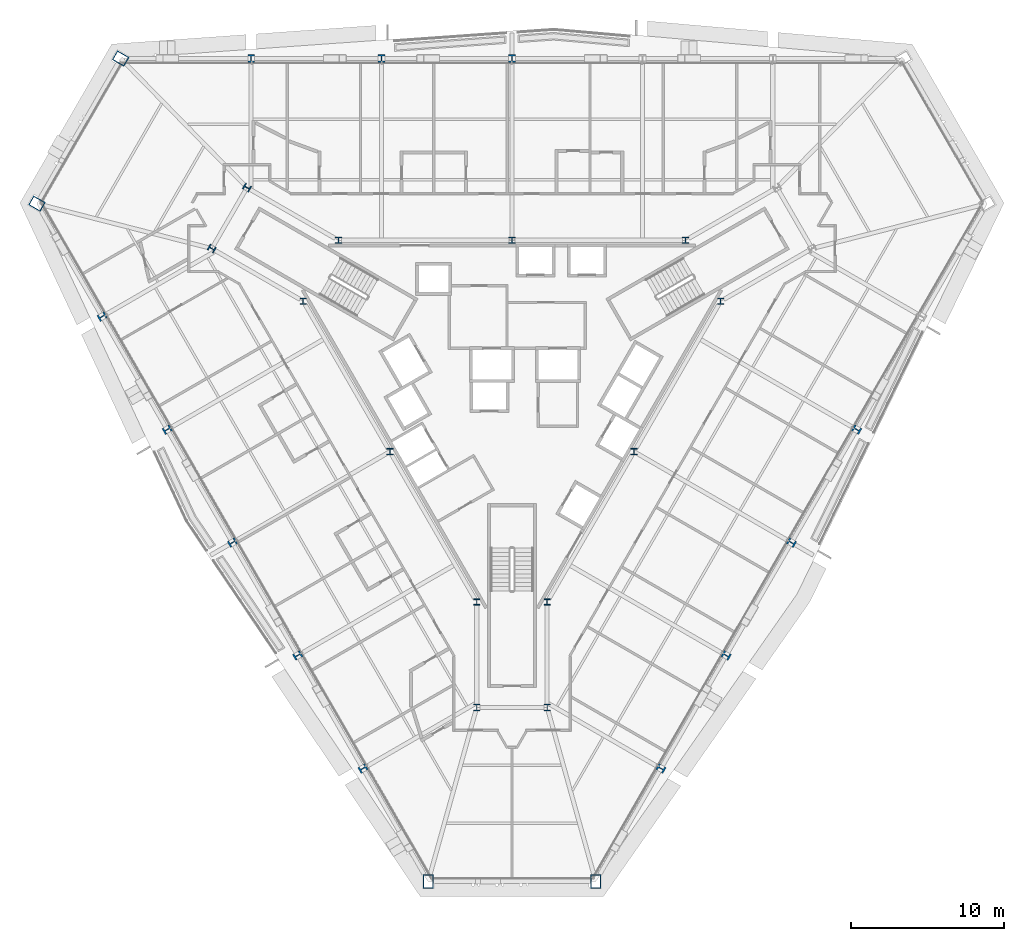
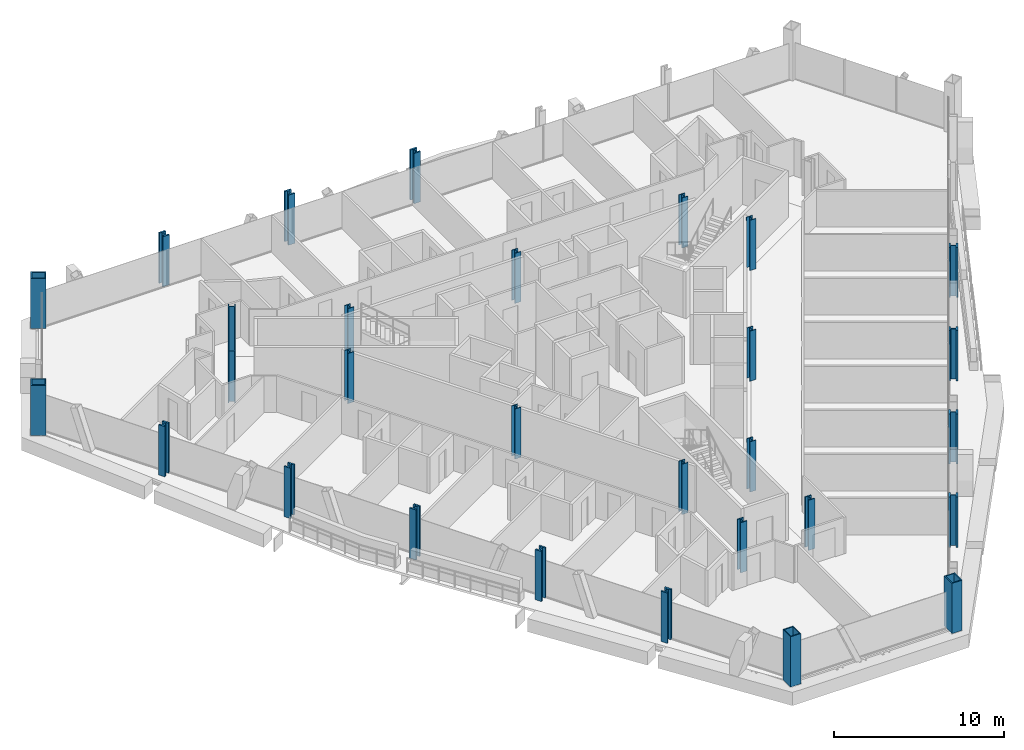
# One storey, part 1 of 17: 29 columns.
"""IFC4 building model written with IfcOpenShell, lengths in metres."""

from ifc_helpers import new_model, si_unit, direction, frame, origin, origin_2d, place, context, subcontext, project, spatial, hollow_rectangle, i_section, extrude, material, material_profile, profile_set, type_object, element, save


model = new_model("IFC4")

# Units and contexts
model_context = context("Model", 3, precision=1e-05, world=origin(), true_north=direction((0.0, 1.0)))
body_context = subcontext(model_context, "Body", "Model", "MODEL_VIEW")
ifc_project = project(units=[si_unit("LENGTHUNIT", "METRE"), si_unit("AREAUNIT", "SQUARE_METRE"), si_unit("VOLUMEUNIT", "CUBIC_METRE"), si_unit("PLANEANGLEUNIT", "RADIAN"), si_unit("MASSUNIT", "GRAM", prefix="KILO")], contexts=[model_context])

# Site, building, storey
site_placement = place(None, origin())
site = spatial("IfcSite", under=ifc_project, at=site_placement, CompositionType="ELEMENT")
building_placement = place(site_placement, origin())
building = spatial("IfcBuilding", under=site, at=building_placement, Name="Verrane Prism Tower", CompositionType="ELEMENT")
storey_placement = place(building_placement, frame((0.0, 0.0, 51.199951171875)))
storey = spatial("IfcBuildingStorey", under=building, at=storey_placement, Name="L10", CompositionType="ELEMENT", Elevation=51.199951171875)

# Columns
ifc_material_1 = material(Name="Steel A992", Category="steel")
ifc_material_profile_1 = material_profile(ifc_material_1, i_section(OverallWidth=0.419189453125, OverallDepth=0.45458984375, WebThickness=0.042236328125, FlangeThickness=0.067626953125, FilletRadius=0.01513671875, at=origin_2d()), Name="W14x370")
ifc_profile_set_1 = profile_set([ifc_material_profile_1], Name="Steel A992")
column_type_1 = type_object("IfcColumnType", Name="Core corner column W14x370", PredefinedType="COLUMN", material=ifc_profile_set_1)
for number, where, z_axis, x_axis, name in (
    (1, (-17.300048828125, 12.639892578125, 0.0), (0.0, 0.0, 1.0), (0.5, 0.866025403784, 0.0), "Core corner column CK-NWm L10"),
    (2, (-19.60009765625, 8.659912109375, 0.0), (0.0, 0.0, 1.0), (0.5, 0.866025403784, 0.0), "Core corner column CK-NWp L10"),
    (3, (-2.300048828125, -21.300048828125, 0.0), (0.0, 0.0, 1.0), (-1.0, 0.0, 0.0), "Core corner column CK-Sm L10"),
    (4, (2.300048828125, -21.300048828125, 0.0), (0.0, 0.0, 1.0), (-1.0, 0.0, 0.0), "Core corner column CK-Sp L10"),
):
    element("IfcColumn", number, at=place(storey_placement, frame(where, z_axis=z_axis, x_axis=x_axis)), inside=storey, type_object=column_type_1, Name=name, PredefinedType="COLUMN", context=body_context, shape_type="SweptSolid", body=[
        extrude(i_section(OverallWidth=0.419189453125, OverallDepth=0.45458984375, WebThickness=0.042236328125, FlangeThickness=0.067626953125, FilletRadius=0.01513671875, at=origin_2d()), origin(), (0.0, 0.0, 1.0), 3.60009765625),
    ])
ifc_material_2 = material(Name="Steel A992", Category="steel")
ifc_material_profile_2 = material_profile(ifc_material_2, i_section(OverallWidth=0.406494140625, OverallDepth=0.41650390625, WebThickness=0.030029296875, FlangeThickness=0.048095703125, FilletRadius=0.01513671875, at=origin_2d()), Name="W14x257")
ifc_profile_set_2 = profile_set([ifc_material_profile_2], Name="Steel A992")
column_type_2 = type_object("IfcColumnType", Name="Core side column W14x257", PredefinedType="COLUMN", material=ifc_profile_set_2)
for number, where, z_axis, x_axis, name in (
    (5, (13.6298828125, 5.219970703125, 0.0), (0.0, 0.0, 1.0), (1.0, 0.0, 0.0), "Core side column CC-NEm L10"),
    (6, (11.330078125, 9.199951171875, 0.0), (0.0, 0.0, 1.0), (1.0, 0.0, 0.0), "Core side column CC-NEp L10"),
    (7, (0.0, 9.199951171875, 0.0), (0.0, 0.0, 1.0), (1.0, 0.0, 0.0), "Core side column CC-N0 L10"),
    (8, (-11.330078125, 9.199951171875, 0.0), (0.0, 0.0, 1.0), (1.0, 0.0, 0.0), "Core side column CC-NWm L10"),
    (9, (-13.6298828125, 5.219970703125, 0.0), (0.0, 0.0, 1.0), (1.0, 0.0, 0.0), "Core side column CC-NWp L10"),
    (10, (-7.969970703125, -4.60009765625, 0.0), (0.0, 0.0, 1.0), (1.0, 0.0, 0.0), "Core side column CC-SW0 L10"),
    (11, (-2.300048828125, -14.419921875, 0.0), (0.0, 0.0, 1.0), (1.0, 0.0, 0.0), "Core side column CC-Sm L10"),
    (12, (2.300048828125, -14.419921875, 0.0), (0.0, 0.0, 1.0), (1.0, 0.0, 0.0), "Core side column CC-Sp L10"),
    (13, (7.969970703125, -4.60009765625, 0.0), (0.0, 0.0, 1.0), (1.0, 0.0, 0.0), "Core side column CC-SE0 L10"),
):
    element("IfcColumn", number, at=place(storey_placement, frame(where, z_axis=z_axis, x_axis=x_axis)), inside=storey, type_object=column_type_2, Name=name, PredefinedType="COLUMN", context=body_context, shape_type="SweptSolid", body=[
        extrude(i_section(OverallWidth=0.406494140625, OverallDepth=0.41650390625, WebThickness=0.030029296875, FlangeThickness=0.048095703125, FilletRadius=0.01513671875, at=origin_2d()), origin(), (0.0, 0.0, 1.0), 3.60009765625),
    ])
ifc_material_3 = material(Name="Steel A572 Grade 50", Category="steel")
ifc_material_profile_3 = material_profile(ifc_material_3, hollow_rectangle(XDim=0.699951171875, YDim=0.89990234375, WallThickness=0.06494140625, at=origin_2d()), Name="BOX 900x700x65")
ifc_profile_set_3 = profile_set([ifc_material_profile_3], Name="Steel A572 Grade 50")
column_type_3 = type_object("IfcColumnType", Name="Megacolumn BOX 900x700x65", PredefinedType="COLUMN", material=ifc_profile_set_3)
for number, where, z_axis, x_axis, name in (
    (14, (-25.550048828125, 21.070068359375, 0.0), (0.0, 0.0, 1.0), (0.5, 0.866025403784, 0.0), "Megacolumn MC-NW.a L10"),
    (15, (-31.02001953125, 11.590087890625, 0.0), (0.0, 0.0, 1.0), (0.5, 0.866025403784, 0.0), "Megacolumn MC-NW.b L10"),
    (16, (-5.469970703125, -32.659912109375, 0.0), (0.0, 0.0, 1.0), (-1.0, 0.0, 0.0), "Megacolumn MC-S.a L10"),
    (17, (5.469970703125, -32.659912109375, 0.0), (0.0, 0.0, 1.0), (-1.0, 0.0, 0.0), "Megacolumn MC-S.b L10"),
):
    element("IfcColumn", number, at=place(storey_placement, frame(where, z_axis=z_axis, x_axis=x_axis)), inside=storey, type_object=column_type_3, Name=name, PredefinedType="COLUMN", context=body_context, shape_type="SweptSolid", body=[
        extrude(hollow_rectangle(XDim=0.699951171875, YDim=0.89990234375, WallThickness=0.06494140625, at=origin_2d()), origin(), (0.0, 0.0, 1.0), 3.60009765625),
    ])
ifc_material_4 = material(Name="Steel A992", Category="steel")
ifc_material_profile_4 = material_profile(ifc_material_4, i_section(OverallWidth=0.44189453125, OverallDepth=0.53076171875, WebThickness=0.06591796875, FlangeThickness=0.105712890625, FilletRadius=0.01513671875, at=origin_2d()), Name="W14x605")
ifc_profile_set_4 = profile_set([ifc_material_profile_4], Name="Steel A992")
column_type_4 = type_object("IfcColumnType", Name="Perimeter column W14x605", PredefinedType="COLUMN", material=ifc_profile_set_4)
for number, where, z_axis, x_axis, name in (
    (18, (0.0, 21.070068359375, 0.0), (0.0, 0.0, 1.0), (1.0, 0.0, 0.0), "Perimeter column PC-N3 L10"),
    (19, (-8.52001953125, 21.070068359375, 0.0), (0.0, 0.0, 1.0), (1.0, 0.0, 0.0), "Perimeter column PC-N4 L10"),
    (20, (-17.030029296875, 21.070068359375, 0.0), (0.0, 0.0, 1.0), (1.0, 0.0, 0.0), "Perimeter column PC-N5 L10"),
    (21, (-26.760009765625, 4.219970703125, 0.0), (0.0, 0.0, 1.0), (-0.5, 0.866025403784, 0.0), "Perimeter column PC-SW1 L10"),
    (22, (-22.510009765625, -3.159912109375, 0.0), (0.0, 0.0, 1.0), (-0.5, 0.866025403784, 0.0), "Perimeter column PC-SW2 L10"),
    (23, (-18.25, -10.5400390625, 0.0), (0.0, 0.0, 1.0), (-0.5, 0.866025403784, 0.0), "Perimeter column PC-SW3 L10"),
    (24, (-13.989990234375, -17.909912109375, 0.0), (0.0, 0.0, 1.0), (-0.5, 0.866025403784, 0.0), "Perimeter column PC-SW4 L10"),
    (25, (-9.72998046875, -25.2900390625, 0.0), (0.0, 0.0, 1.0), (-0.5, 0.866025403784, 0.0), "Perimeter column PC-SW5 L10"),
    (26, (9.72998046875, -25.2900390625, 0.0), (0.0, 0.0, 1.0), (-0.5, -0.866025403784, 0.0), "Perimeter column PC-SE1 L10"),
    (27, (13.989990234375, -17.909912109375, 0.0), (0.0, 0.0, 1.0), (-0.5, -0.866025403784, 0.0), "Perimeter column PC-SE2 L10"),
    (28, (18.25, -10.5400390625, 0.0), (0.0, 0.0, 1.0), (-0.5, -0.866025403784, 0.0), "Perimeter column PC-SE3 L10"),
    (29, (22.510009765625, -3.159912109375, 0.0), (0.0, 0.0, 1.0), (-0.5, -0.866025403784, 0.0), "Perimeter column PC-SE4 L10"),
):
    element("IfcColumn", number, at=place(storey_placement, frame(where, z_axis=z_axis, x_axis=x_axis)), inside=storey, type_object=column_type_4, Name=name, PredefinedType="COLUMN", context=body_context, shape_type="SweptSolid", body=[
        extrude(i_section(OverallWidth=0.44189453125, OverallDepth=0.53076171875, WebThickness=0.06591796875, FlangeThickness=0.105712890625, FilletRadius=0.01513671875, at=origin_2d()), origin(), (0.0, 0.0, 1.0), 3.60009765625),
    ])

save(model, "model.ifc")
